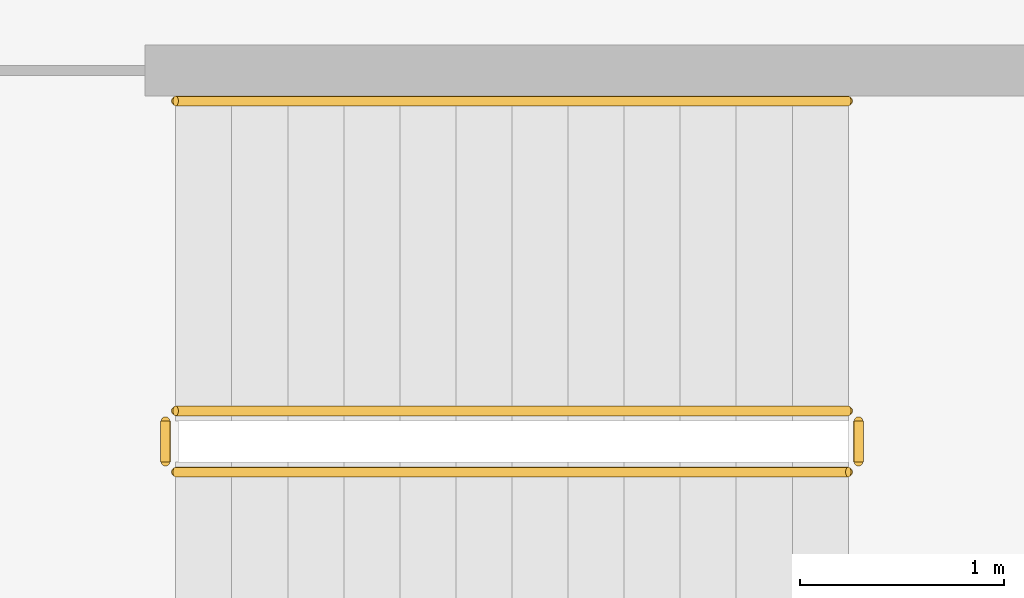
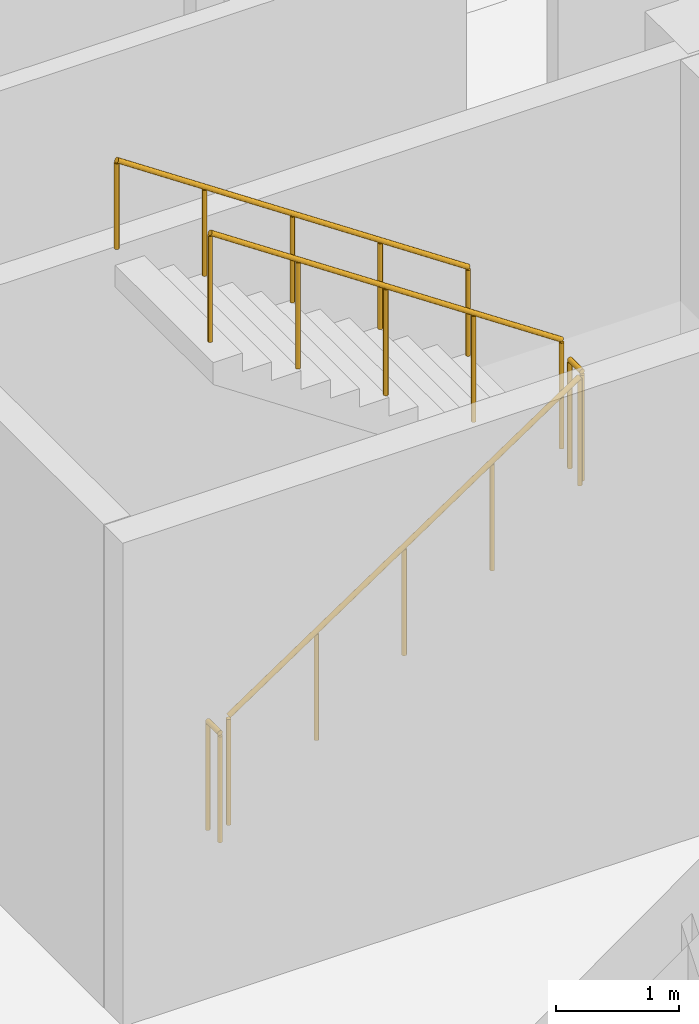
# One storey, part 106 of 117: 5 railings.
"""IFC4 building model written with IfcOpenShell, lengths in metres."""

from ifc_helpers import new_model, si_unit, direction, frame, origin, origin_2d, place, context, subcontext, project, spatial, circle, extrude, material, type_object, element, save


model = new_model("IFC4")

# Units and contexts
model_context = context("Model", 3, precision=1e-05, world=origin(), true_north=direction((0.0, 1.0)))
body_context = subcontext(model_context, "Body", "Model", "MODEL_VIEW")
ifc_project = project(units=[si_unit("LENGTHUNIT", "METRE"), si_unit("AREAUNIT", "SQUARE_METRE"), si_unit("VOLUMEUNIT", "CUBIC_METRE"), si_unit("PLANEANGLEUNIT", "RADIAN"), si_unit("MASSUNIT", "GRAM", prefix="KILO")], contexts=[model_context])

# Site, building, storey
site_placement = place(None, origin())
site = spatial("IfcSite", under=ifc_project, at=site_placement, CompositionType="ELEMENT")
building_placement = place(site_placement, origin())
building = spatial("IfcBuilding", under=site, at=building_placement, Name="Jelvoka-Kovrelna Polytechnic", CompositionType="ELEMENT")
storey_placement = place(building_placement, origin())
storey = spatial("IfcBuildingStorey", under=building, at=storey_placement, Name="L01", CompositionType="ELEMENT", Elevation=0.0)

# Railings
ifc_material_1 = material(Name="Powder-coated steel stair guard", Category="steel")
railing_type_1 = type_object("IfcRailingType", Name="Railing_Stair_Guard_1100", PredefinedType="GUARDRAIL", material=ifc_material_1)
railing_1_placement = place(storey_placement, frame((90.25, 13.77001953125, 0.1845703125)))
element("IfcRailing", 1, at=railing_1_placement, inside=storey, type_object=railing_type_1, Name="L01 ST06 stair guard 1", PredefinedType="GUARDRAIL", context=body_context, shape_type="SweptSolid", body=[
    extrude(circle(Radius=0.02392578125, at=origin_2d()), frame((0.0, 0.0, 1.076171875), z_axis=(0.830269453126, 0.0, 0.557362211857), x_axis=(0.0, 1.0, 0.0)), (0.0, 0.0, 1.0), 3.974609375),
    extrude(circle(Radius=0.02099609375, at=origin_2d()), origin(), (0.0, 0.0, 1.0), 1.052001953125),
    extrude(circle(Radius=0.02099609375, at=origin_2d()), frame((0.824951171875, 0.0, 0.5537109375)), (0.0, 0.0, 1.0), 1.052001953125),
    extrude(circle(Radius=0.02099609375, at=origin_2d()), frame((1.64990234375, 0.0, 1.107666015625)), (0.0, 0.0, 1.0), 1.052001953125),
    extrude(circle(Radius=0.02099609375, at=origin_2d()), frame((2.47509765625, 0.0, 1.66162109375)), (0.0, 0.0, 1.0), 1.052001953125),
    extrude(circle(Radius=0.02099609375, at=origin_2d()), frame((3.300048828125, 0.0, 2.21533203125)), (0.0, 0.0, 1.0), 1.052001953125),
])
railing_2_placement = place(storey_placement, frame((93.60009765625, 13.820068359375, 2.39990234375)))
element("IfcRailing", 2, at=railing_2_placement, inside=storey, type_object=railing_type_1, Name="L01 ST06 stair guard 2", PredefinedType="GUARDRAIL", context=body_context, shape_type="SweptSolid", body=[
    extrude(circle(Radius=0.02392578125, at=origin_2d()), frame((0.0, 0.0, 1.076171875), z_axis=(0.0, 1.0, 0.0), x_axis=(-1.0, 0.0, 0.0)), (0.0, 0.0, 1.0), 0.199951171875),
    extrude(circle(Radius=0.02099609375, at=origin_2d()), origin(), (0.0, 0.0, 1.0), 1.052001953125),
    extrude(circle(Radius=0.02099609375, at=origin_2d()), frame((0.0, 0.199951171875, 0.0)), (0.0, 0.0, 1.0), 1.052001953125),
])
railing_3_placement = place(storey_placement, frame((93.550048828125, 14.070068359375, 2.584716796875)))
element("IfcRailing", 3, at=railing_3_placement, inside=storey, type_object=railing_type_1, Name="L01 ST06 stair guard 3", PredefinedType="GUARDRAIL", context=body_context, shape_type="SweptSolid", body=[
    extrude(circle(Radius=0.02392578125, at=origin_2d()), frame((0.0, 0.0, 1.076171875), z_axis=(-0.830269453126, 0.0, 0.557362211857), x_axis=(0.0, -1.0, 0.0)), (0.0, 0.0, 1.0), 3.974609375),
    extrude(circle(Radius=0.02099609375, at=origin_2d()), origin(), (0.0, 0.0, 1.0), 1.052001953125),
    extrude(circle(Radius=0.02099609375, at=origin_2d()), frame((-0.824951171875, 0.0, 0.5537109375)), (0.0, 0.0, 1.0), 1.052001953125),
    extrude(circle(Radius=0.02099609375, at=origin_2d()), frame((-1.64990234375, 0.0, 1.107666015625)), (0.0, 0.0, 1.0), 1.052001953125),
    extrude(circle(Radius=0.02099609375, at=origin_2d()), frame((-2.47509765625, 0.0, 1.66162109375)), (0.0, 0.0, 1.0), 1.052001953125),
    extrude(circle(Radius=0.02099609375, at=origin_2d()), frame((-3.300048828125, 0.0, 2.21533203125)), (0.0, 0.0, 1.0), 1.052001953125),
])
railing_4_placement = place(storey_placement, frame((90.199951171875, 13.820068359375, 0.0)))
element("IfcRailing", 4, at=railing_4_placement, inside=storey, type_object=railing_type_1, Name="L01 ST06 stair guard 4", PredefinedType="GUARDRAIL", context=body_context, shape_type="SweptSolid", body=[
    extrude(circle(Radius=0.02392578125, at=origin_2d()), frame((0.0, 0.0, 1.076171875), z_axis=(0.0, 1.0, 0.0), x_axis=(-1.0, 0.0, 0.0)), (0.0, 0.0, 1.0), 0.199951171875),
    extrude(circle(Radius=0.02099609375, at=origin_2d()), origin(), (0.0, 0.0, 1.0), 1.052001953125),
    extrude(circle(Radius=0.02099609375, at=origin_2d()), frame((0.0, 0.199951171875, 0.0)), (0.0, 0.0, 1.0), 1.052001953125),
])
ifc_material_2 = material(Name="Brushed stainless steel handrail", Category="steel")
railing_type_2 = type_object("IfcRailingType", Name="Railing_Stair_Handrail_900", PredefinedType="HANDRAIL", material=ifc_material_2)
railing_5_placement = place(storey_placement, frame((93.550048828125, 15.590087890625, 2.584716796875)))
element("IfcRailing", 5, at=railing_5_placement, inside=storey, type_object=railing_type_2, Name="L01 ST06 stair handrail 2", PredefinedType="HANDRAIL", context=body_context, shape_type="SweptSolid", body=[
    extrude(circle(Radius=0.02392578125, at=origin_2d()), frame((0.0, 0.0, 0.8759765625), z_axis=(-0.830269453126, 0.0, 0.557362211857), x_axis=(0.0, -1.0, 0.0)), (0.0, 0.0, 1.0), 3.974609375),
    extrude(circle(Radius=0.02099609375, at=origin_2d()), origin(), (0.0, 0.0, 1.0), 0.851806640625),
    extrude(circle(Radius=0.02099609375, at=origin_2d()), frame((-0.824951171875, 0.0, 0.5537109375)), (0.0, 0.0, 1.0), 0.851806640625),
    extrude(circle(Radius=0.02099609375, at=origin_2d()), frame((-1.64990234375, 0.0, 1.107666015625)), (0.0, 0.0, 1.0), 0.851806640625),
    extrude(circle(Radius=0.02099609375, at=origin_2d()), frame((-2.47509765625, 0.0, 1.66162109375)), (0.0, 0.0, 1.0), 0.851806640625),
    extrude(circle(Radius=0.02099609375, at=origin_2d()), frame((-3.300048828125, 0.0, 2.21533203125)), (0.0, 0.0, 1.0), 0.851806640625),
])

save(model, "model.ifc")
